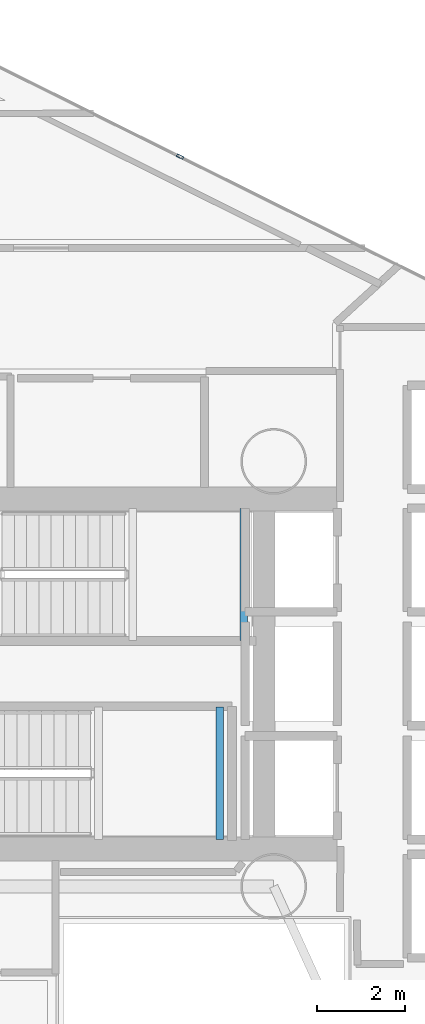
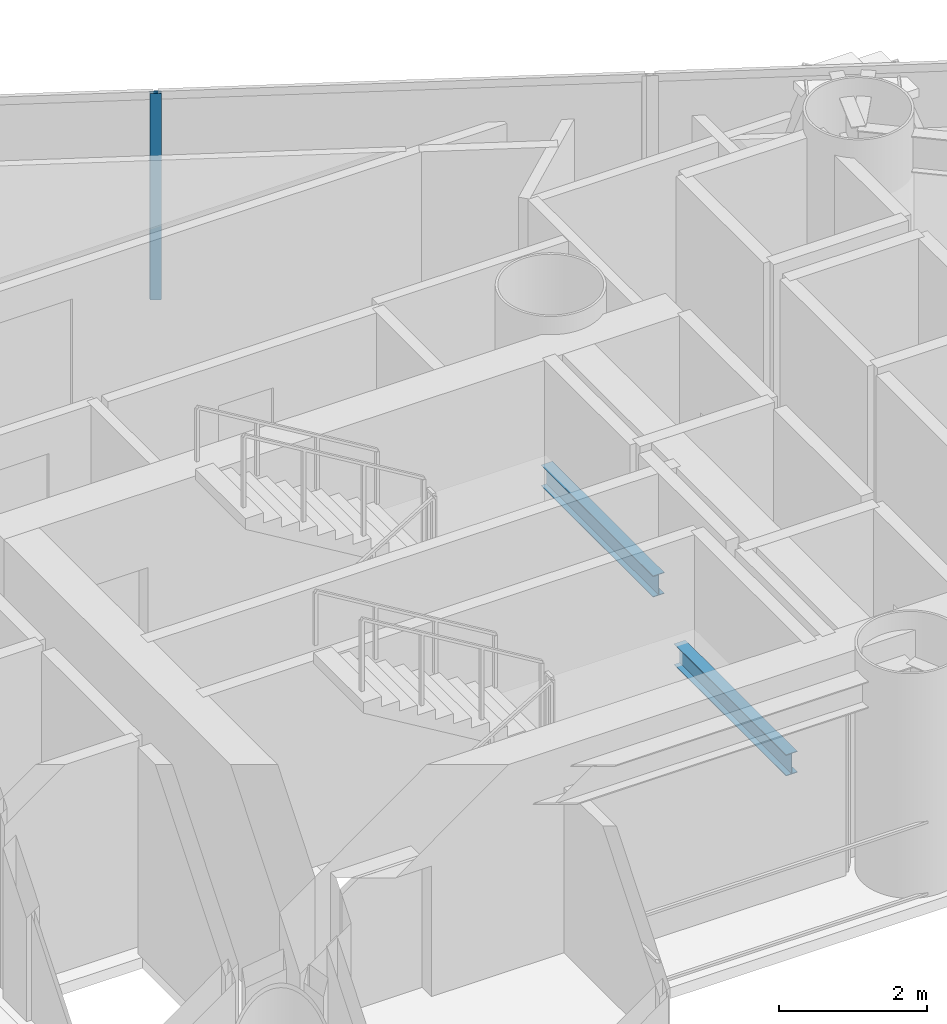
# One storey, part 9 of 22: 2 beams, 1 member, 1 element without a shape of its own.
"""IFC4 building model written with IfcOpenShell, lengths in metres."""

import ifcopenshell
import ifcopenshell.guid

model = None  # the IFC model being written
_history = None  # IfcOwnerHistory: only IFC2X3 demands one
_inside = {}  # id of a spatial element -> (the spatial element, [elements in it])
_under = {}  # id of a project, library or spatial element -> (it, [spatial elements below it])
_declared = {}  # id of a project -> (the project, [libraries it declares])
_typed = {}  # id of a type object -> (the type object, [elements of that type])
_made_of = {}  # id of a material, layer set ... -> (it, [elements and type objects made of it])


def new_model(schema):
    """Start an empty IFC model of exactly this schema.

    Asked for "IFC4X3", IfcOpenShell would pick the latest addendum, in which some entities
    have other attributes; the version numbers below select the first issue.
    IFC2X3 requires an IfcOwnerHistory on every rooted entity: one is made here for all.
    """
    global model, _history
    if schema == "IFC4X3":
        model = ifcopenshell.file(schema_version=(4, 3, 0, 0))
    else:
        model = ifcopenshell.file(schema=schema)
    _inside.clear()
    _under.clear()
    _declared.clear()
    _typed.clear()
    _made_of.clear()
    _history = None
    if model.schema == "IFC2X3":
        org = make("IfcOrganization", Name="unknown")
        user = make(
            "IfcPersonAndOrganization",
            ThePerson=make("IfcPerson", FamilyName="unknown"),
            TheOrganization=org,
        )
        app = make(
            "IfcApplication",
            ApplicationDeveloper=org,
            Version="unknown",
            ApplicationFullName="unknown",
            ApplicationIdentifier="unknown",
        )
        _history = make(
            "IfcOwnerHistory",
            OwningUser=user,
            OwningApplication=app,
            ChangeAction="ADDED",
            CreationDate=0,
        )
    return model


def make(cls, **values):
    """One entity of the class cls with the attributes given. An attribute that is None is left unset."""
    return model.create_entity(
        cls, **{name: value for name, value in values.items() if value is not None}
    )


def rooted(cls, **values):
    """An entity with a GlobalId (a new one), such as an element, a storey or a relation."""
    return make(cls, GlobalId=ifcopenshell.guid.new(), OwnerHistory=_history, **values)


def si_unit(unit_type, name, prefix=None):
    """IfcSIUnit, for example si_unit("LENGTHUNIT", "METRE", prefix="MILLI")."""
    return make("IfcSIUnit", UnitType=unit_type, Prefix=prefix, Name=name)


def assignment(units):
    """IfcUnitAssignment: the units of a project."""
    return None if units is None else make("IfcUnitAssignment", Units=units)


def point(xyz):
    """IfcCartesianPoint."""
    return None if xyz is None else make("IfcCartesianPoint", Coordinates=xyz)


def direction(xyz):
    """IfcDirection."""
    return None if xyz is None else make("IfcDirection", DirectionRatios=xyz)


def frame(location, z_axis=None, x_axis=None):
    """IfcAxis2Placement3D, a coordinate frame: its origin and axes. An axis left out is left unset."""
    return make(
        "IfcAxis2Placement3D",
        Location=point(location),
        Axis=direction(z_axis),
        RefDirection=direction(x_axis),
    )


def frame_2d(location, x_axis=None):
    """IfcAxis2Placement2D, a coordinate frame in the plane: its origin and x axis."""
    return make(
        "IfcAxis2Placement2D", Location=point(location), RefDirection=direction(x_axis)
    )


def origin():
    """The frame at (0, 0, 0) with its axes left unset."""
    return frame((0.0, 0.0, 0.0))


def origin_2d():
    """The frame at (0, 0) in the plane with its x axis left unset."""
    return frame_2d((0.0, 0.0))


def place(relative_to, where):
    """IfcLocalPlacement: puts the frame where relative to a parent placement (None: the world)."""
    return make(
        "IfcLocalPlacement", PlacementRelTo=relative_to, RelativePlacement=where
    )


def context(
    kind, dimensions, precision=None, world=None, true_north=None, identifier=None
):
    """IfcGeometricRepresentationContext, for example the 3D "Model" context."""
    return make(
        "IfcGeometricRepresentationContext",
        ContextIdentifier=identifier,
        ContextType=kind,
        CoordinateSpaceDimension=dimensions,
        Precision=precision,
        WorldCoordinateSystem=world,
        TrueNorth=true_north,
    )


def subcontext(parent, identifier, kind, view, scale=None):
    """IfcGeometricRepresentationSubContext, for example "Body" below "Model"."""
    return make(
        "IfcGeometricRepresentationSubContext",
        ContextIdentifier=identifier,
        ContextType=kind,
        ParentContext=parent,
        TargetScale=scale,
        TargetView=view,
    )


def project(units=None, contexts=None):
    """IfcProject with its units and contexts."""
    return rooted(
        "IfcProject",
        Name="project",
        RepresentationContexts=contexts,
        UnitsInContext=assignment(units),
    )


def spatial(cls, under=None, at=None, **own):
    """A site, building, storey or space (cls), placed at a placement, below another one or the project."""
    s = rooted(cls, ObjectPlacement=at, **own)
    if under is not None:
        _under.setdefault(under.id(), (under, []))[1].append(s)
    return s


def profile(cls, at=None, kind="AREA", **sizes):
    """A parametric profile (cls). Its sizes go by their IFC names, for example OverallWidth=200.0."""
    return make(cls, ProfileType=kind, Position=at, **sizes)


def hollow_rectangle(**sizes):
    """IfcRectangleHollowProfileDef."""
    return profile("IfcRectangleHollowProfileDef", **sizes)


def i_section(**sizes):
    """IfcIShapeProfileDef."""
    return profile("IfcIShapeProfileDef", **sizes)


def extrude(swept, where, along, depth):
    """IfcExtrudedAreaSolid: the profile swept, set in the frame where, extruded along a direction by depth."""
    return make(
        "IfcExtrudedAreaSolid",
        SweptArea=swept,
        Position=where,
        ExtrudedDirection=direction(along),
        Depth=depth,
    )


def shape(context_of_items, identifier, shape_type, items):
    """IfcShapeRepresentation: the items that make up one representation, for example the "Body"."""
    return make(
        "IfcShapeRepresentation",
        ContextOfItems=context_of_items,
        RepresentationIdentifier=identifier,
        RepresentationType=shape_type,
        Items=items,
    )


def material(Name=None, Category=None):
    """IfcMaterial."""
    return make("IfcMaterial", Name=Name, Category=Category)


def layer(
    of_material, thickness, ventilated=None, Name=None, Category=None, Priority=None
):
    """IfcMaterialLayer: one layer of a wall or slab, of a material (None: an air gap)."""
    return make(
        "IfcMaterialLayer",
        Material=of_material,
        LayerThickness=thickness,
        IsVentilated=ventilated,
        Name=Name,
        Category=Category,
        Priority=Priority,
    )


def layer_set(layers, Name=None):
    """IfcMaterialLayerSet."""
    return make("IfcMaterialLayerSet", MaterialLayers=layers, LayerSetName=Name)


def material_profile(
    of_material, cross_section, Name=None, Category=None, Priority=None
):
    """IfcMaterialProfile: a cross section and its material."""
    return make(
        "IfcMaterialProfile",
        Name=Name,
        Material=of_material,
        Profile=cross_section,
        Priority=Priority,
        Category=Category,
    )


def profile_set(profiles, Name=None, composite=None):
    """IfcMaterialProfileSet."""
    return make(
        "IfcMaterialProfileSet",
        Name=Name,
        MaterialProfiles=profiles,
        CompositeProfile=composite,
    )


def made_of(thing, what):
    """Note that an element or type object is made of a material, layer set ...; save() writes the relation."""
    if what is not None:
        _made_of.setdefault(what.id(), (what, []))[1].append(thing)
    return thing


def type_object(cls, material=None, **own):
    """A type object (cls), such as IfcWallType, which elements share."""
    return made_of(rooted(cls, **own), material)


def element(
    cls,
    number,
    at=None,
    inside=None,
    cuts=None,
    type_object=None,
    material=None,
    context=None,
    identifier="Body",
    shape_type=None,
    held_by="IfcProductDefinitionShape",
    body=None,
    shapes=None,
    **own,
):
    """One element of the class cls, such as IfcWall. Its Tag is "e" and its number.

    at: its placement. inside: the storey or other place that contains it. cuts: it is an
    opening in that element (IfcRelVoidsElement). A single representation is given by context,
    identifier, shape_type and body (its items); several are given by shapes. held_by: the class
    of the entity that holds the representations. save() writes the other relations.
    """
    e = rooted(cls, Tag="e%d" % number, ObjectPlacement=at, **own)
    if body is not None:
        shapes = [shape(context, identifier, shape_type, body)]
    if shapes is not None:
        e.Representation = make(held_by, Representations=shapes)
    if inside is not None:
        _inside.setdefault(inside.id(), (inside, []))[1].append(e)
    if cuts is not None:
        rooted(
            "IfcRelVoidsElement", RelatingBuildingElement=cuts, RelatedOpeningElement=e
        )
    if type_object is not None:
        _typed.setdefault(type_object.id(), (type_object, []))[1].append(e)
    return made_of(e, material)


def aggregate(whole, parts):
    """IfcRelAggregates: a whole, such as a stair, and the parts it consists of."""
    return rooted("IfcRelAggregates", RelatingObject=whole, RelatedObjects=parts)


def save(model, path):
    """Write the relations noted so far, then the file.

    IfcRelAggregates (storeys below a building ...), IfcRelContainedInSpatialStructure (elements
    in a storey), IfcRelDefinesByType, IfcRelAssociatesMaterial and IfcRelDeclares: one each for
    every whole, place, type object, material and project.
    """
    for whole, parts in _under.values():
        aggregate(whole, parts)
    for where, things in _inside.values():
        rooted(
            "IfcRelContainedInSpatialStructure",
            RelatedElements=things,
            RelatingStructure=where,
        )
    for kind, things in _typed.values():
        rooted("IfcRelDefinesByType", RelatedObjects=things, RelatingType=kind)
    for what, things in _made_of.values():
        rooted("IfcRelAssociatesMaterial", RelatedObjects=things, RelatingMaterial=what)
    for by, libraries in _declared.values():
        rooted("IfcRelDeclares", RelatingContext=by, RelatedDefinitions=libraries)
    model.write(path)


model = new_model("IFC4")

# Units and contexts
model_context = context("Model", 3, precision=1e-05, world=origin(), true_north=direction((0.0, 1.0)))
body_context = subcontext(model_context, "Body", "Model", "MODEL_VIEW")
ifc_project = project(units=[si_unit("LENGTHUNIT", "METRE"), si_unit("AREAUNIT", "SQUARE_METRE"), si_unit("VOLUMEUNIT", "CUBIC_METRE"), si_unit("PLANEANGLEUNIT", "RADIAN"), si_unit("MASSUNIT", "GRAM", prefix="KILO")], contexts=[model_context])

# Site, building, storey
site_placement = place(None, origin())
site = spatial("IfcSite", under=ifc_project, at=site_placement, CompositionType="ELEMENT")
building_placement = place(site_placement, origin())
building = spatial("IfcBuilding", under=site, at=building_placement, Name="Qianvela Tower", CompositionType="ELEMENT")
storey_placement = place(building_placement, frame((0.0, 0.0, 134.800048828125)))
storey = spatial("IfcBuildingStorey", under=building, at=storey_placement, Name="L34", CompositionType="ELEMENT", Elevation=134.800048828125)

# Beams
ifc_material_1 = material(Name="Steel Q355B", Category="steel")
ifc_material_profile_1 = material_profile(ifc_material_1, i_section(OverallWidth=0.175048828125, OverallDepth=0.35009765625, WebThickness=0.007080078125, FlangeThickness=0.010986328125, at=origin_2d()), Name="HN350x175x7x11")
ifc_profile_set_1 = profile_set([ifc_material_profile_1], Name="Steel Q355B")
beam_type = type_object("IfcBeamType", Name="BM-HN350-JOIST", PredefinedType="JOIST", material=ifc_profile_set_1)
for number, where, z_axis, x_axis, name in (
    (1, (37.719970703125, 29.4599609375, 1.474853515625), (0.0, 1.0, 0.0), (-1.0, 0.0, 0.0), "L34 Stair ST-1 Landing Support Beam 1.2"),
    (2, (37.169921875, 24.919921875, 1.474853515625), (0.0, 1.0, 0.0), (-1.0, 0.0, 0.0), "L34 Stair ST-2 Landing Support Beam 1.2"),
):
    element("IfcBeam", number, at=place(storey_placement, frame(where, z_axis=z_axis, x_axis=x_axis)), inside=storey, type_object=beam_type, Name=name, PredefinedType="JOIST", context=body_context, shape_type="SweptSolid", body=[
        extrude(i_section(OverallWidth=0.175048828125, OverallDepth=0.35009765625, WebThickness=0.007080078125, FlangeThickness=0.010986328125, at=origin_2d()), origin(), (0.0, 0.0, 1.0), 3.02001953125),
    ])

# Curtain wall, member
ifc_material_2 = material(Name="Anodised Architectural Aluminium and Low-E Glass", Category="aluminium")
ifc_layer = layer(ifc_material_2, 0.169921875)
ifc_layer_set = layer_set([ifc_layer], Name="Anodised Architectural Aluminium and Low-E Glass")
curtain_wall_type = type_object("IfcCurtainWallType", Name="CW-COLIV-Z34", PredefinedType="USERDEFINED", material=ifc_layer_set)
curtain_wall_placement = place(storey_placement, origin())
curtain_wall = element("IfcCurtainWall", 3, at=curtain_wall_placement, inside=storey, type_object=curtain_wall_type, Name="L34 CW-COLIV-Z34 Curtain Wall 02C", ObjectType="CURTAIN_WALL_SYSTEM", PredefinedType="USERDEFINED")
ifc_material_3 = material(Name="Anodised Architectural Aluminium 6063-T6", Category="aluminium")
ifc_material_profile_2 = material_profile(ifc_material_3, hollow_rectangle(XDim=0.06494140625, YDim=0.159912109375, WallThickness=0.0048828125, at=origin_2d()), Name="ALU-MULL-65x160")
ifc_profile_set_2 = profile_set([ifc_material_profile_2], Name="Anodised Architectural Aluminium 6063-T6")
member_type = type_object("IfcMemberType", Name="CW-COLIV-Z34-MULL", PredefinedType="MULLION", material=ifc_profile_set_2)
member_placement = place(storey_placement, frame((36.261962890625, 40.5068359375, 0.0), z_axis=(0.0, 0.0, 1.0), x_axis=(-0.445146756664, -0.895457628831, 0.0)))
member = element("IfcMember", 4, at=member_placement, type_object=member_type, Name="CW-4 mullion 2", PredefinedType="MULLION", context=body_context, shape_type="SweptSolid", body=[
    extrude(hollow_rectangle(XDim=0.06494140625, YDim=0.159912109375, WallThickness=0.0048828125, at=origin_2d()), origin(), (0.0, 0.0, 1.0), 3.39990234375),
])
aggregate(curtain_wall, [member])

save(model, "model.ifc")
